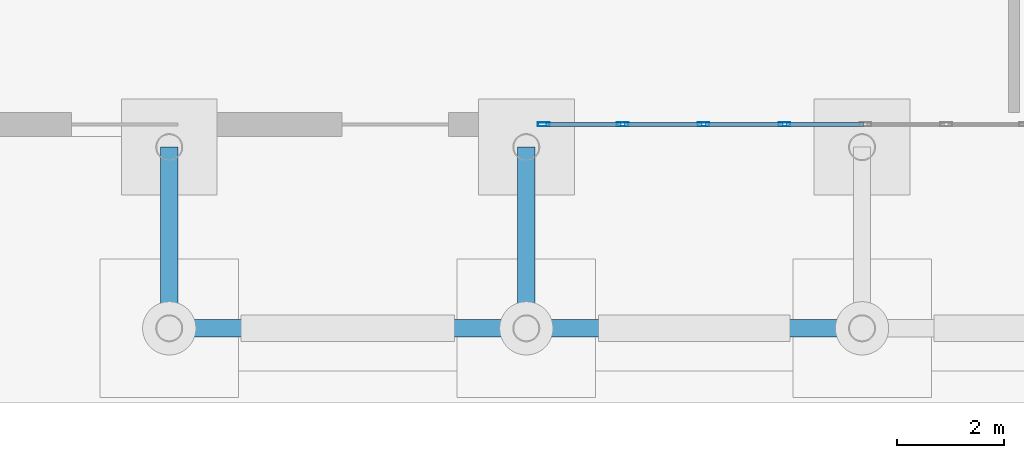
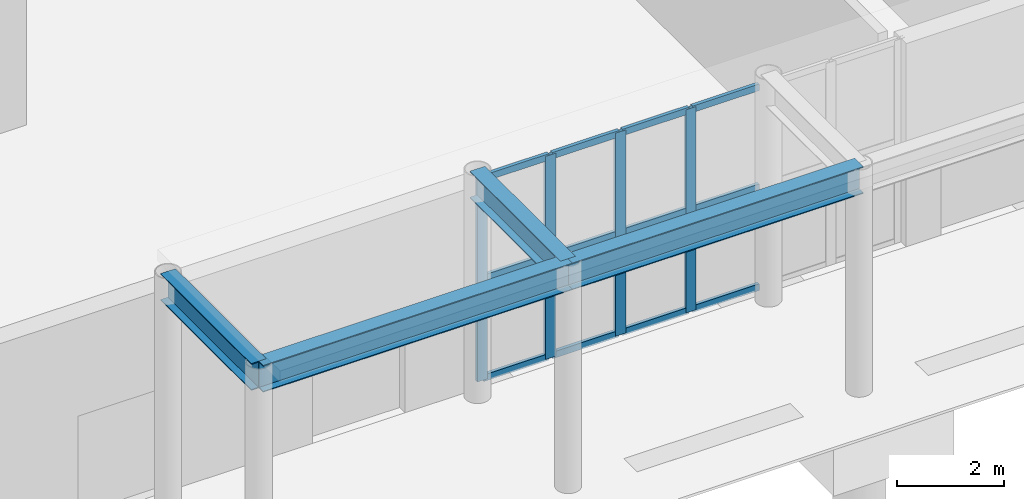
# One storey, part 4 of 35: 16 members, 4 beams, 1 element without a shape of its own.
"""IFC4 building model written with IfcOpenShell, lengths in metres."""

from ifc_helpers import new_model, si_unit, direction, frame, origin, origin_2d, place, context, subcontext, project, spatial, hollow_rectangle, i_section, extrude, material, layer, layer_set, material_profile, profile_set, type_object, element, aggregate, save


model = new_model("IFC4")

# Units and contexts
model_context = context("Model", 3, precision=1e-05, world=origin(), true_north=direction((0.0, 1.0)))
body_context = subcontext(model_context, "Body", "Model", "MODEL_VIEW")
ifc_project = project(units=[si_unit("LENGTHUNIT", "METRE"), si_unit("AREAUNIT", "SQUARE_METRE"), si_unit("VOLUMEUNIT", "CUBIC_METRE"), si_unit("PLANEANGLEUNIT", "RADIAN"), si_unit("MASSUNIT", "GRAM", prefix="KILO")], contexts=[model_context])

# Site, building, storey
site_placement = place(None, origin())
site = spatial("IfcSite", under=ifc_project, at=site_placement, CompositionType="ELEMENT")
building_placement = place(site_placement, origin())
building = spatial("IfcBuilding", under=site, at=building_placement, Name="Kilnhurst Terrace Hotel", CompositionType="ELEMENT")
storey_placement = place(building_placement, origin())
storey = spatial("IfcBuildingStorey", under=building, at=storey_placement, Name="L00", CompositionType="ELEMENT", Elevation=0.0)

# Beams
ifc_material_1 = material(Name="Steel ASTM A992 Grade 50", Category="steel")
ifc_material_profile_1 = material_profile(ifc_material_1, i_section(OverallWidth=0.3251953125, OverallDepth=0.6162109375, WebThickness=0.013916015625, FlangeThickness=0.021484375, at=origin_2d()), Name="W24X117")
ifc_profile_set_1 = profile_set([ifc_material_profile_1], Name="Steel ASTM A992 Grade 50")
beam_type = type_object("IfcBeamType", Name="BM-STL-W24X117", PredefinedType="BEAM", material=ifc_profile_set_1)
for number, where, z_axis, x_axis, name in (
    (1, (-16.199951171875, -35.60009765625, 4.89208984375), (0.0, 1.0, 0.0), (-1.0, 0.0, 0.0), "Porte Cochere Canopy Tie Beam 1"),
    (2, (-9.5, -35.60009765625, 4.89208984375), (0.0, 1.0, 0.0), (-1.0, 0.0, 0.0), "Porte Cochere Canopy Tie Beam 2"),
):
    element("IfcBeam", number, at=place(storey_placement, frame(where, z_axis=z_axis, x_axis=x_axis)), inside=storey, type_object=beam_type, Name=name, PredefinedType="BEAM", context=body_context, shape_type="SweptSolid", body=[
        extrude(i_section(OverallWidth=0.3251953125, OverallDepth=0.6162109375, WebThickness=0.013916015625, FlangeThickness=0.021484375, at=origin_2d()), origin(), (0.0, 0.0, 1.0), 3.400146484375),
    ])
beam_1_placement = place(storey_placement, frame((-16.199951171875, -35.60009765625, 4.89208984375), z_axis=(1.0, 0.0, 0.0), x_axis=(0.0, 1.0, 0.0)))
element("IfcBeam", 3, at=beam_1_placement, inside=storey, type_object=beam_type, Name="Porte Cochere Canopy Edge Beam 1", PredefinedType="BEAM", context=body_context, shape_type="SweptSolid", body=[
    extrude(i_section(OverallWidth=0.3251953125, OverallDepth=0.6162109375, WebThickness=0.013916015625, FlangeThickness=0.021484375, at=origin_2d()), origin(), (0.0, 0.0, 1.0), 6.699951171875),
])
beam_2_placement = place(storey_placement, frame((-9.5, -35.60009765625, 4.89208984375), z_axis=(1.0, 0.0, 0.0), x_axis=(0.0, 1.0, 0.0)))
element("IfcBeam", 4, at=beam_2_placement, inside=storey, type_object=beam_type, Name="Porte Cochere Canopy Edge Beam 2", PredefinedType="BEAM", context=body_context, shape_type="SweptSolid", body=[
    extrude(i_section(OverallWidth=0.3251953125, OverallDepth=0.6162109375, WebThickness=0.013916015625, FlangeThickness=0.021484375, at=origin_2d()), origin(), (0.0, 0.0, 1.0), 6.300048828125),
])

# Curtain wall, members
ifc_material_2 = material(Name="Anodized Aluminium Alloy 6063-T6 and Low-E Glass", Category="aluminium")
ifc_layer = layer(ifc_material_2, 0.219970703125, Name="Anodized Aluminium Alloy 6063-T6 and Low-E Glass")
ifc_layer_set = layer_set([ifc_layer], Name="Anodized Aluminium Alloy 6063-T6 and Low-E Glass")
curtain_wall_type = type_object("IfcCurtainWallType", Name="CW-POD-LOBBY", PredefinedType="NOTDEFINED", material=ifc_layer_set)
curtain_wall_placement = place(storey_placement, origin())
curtain_wall = element("IfcCurtainWall", 5, at=curtain_wall_placement, inside=storey, type_object=curtain_wall_type, Name="L00 Curtain Wall CW-L00-F1-1", PredefinedType="NOTDEFINED")
ifc_material_3 = material(Name="Extruded Aluminium Alloy 6063-T6", Category="aluminium")
ifc_material_profile_2 = material_profile(ifc_material_3, hollow_rectangle(XDim=0.074951171875, YDim=0.219970703125, WallThickness=0.00390625, at=origin_2d()), Name="CWM75X220")
ifc_profile_set_2 = profile_set([ifc_material_profile_2], Name="Extruded Aluminium Alloy 6063-T6")
member_type_1 = type_object("IfcMemberType", Name="MEM-CWM75X220", PredefinedType="MULLION", material=ifc_profile_set_2)
member_1_placement = place(storey_placement, frame((-9.1708984375, -31.77490234375, 0.0), z_axis=(0.0, 0.0, 1.0), x_axis=(0.0, 1.0, 0.0)))
member_1 = element("IfcMember", 6, at=member_1_placement, type_object=member_type_1, Name="CWL-1 mullion 1", PredefinedType="MULLION", context=body_context, shape_type="SweptSolid", body=[
    extrude(hollow_rectangle(XDim=0.074951171875, YDim=0.219970703125, WallThickness=0.00390625, at=origin_2d()), origin(), (0.0, 0.0, 1.0), 4.64990234375),
])
member_2_placement = place(storey_placement, frame((-7.6904296875, -31.77490234375, 0.0), z_axis=(0.0, 0.0, 1.0), x_axis=(0.0, 1.0, 0.0)))
member_2 = element("IfcMember", 7, at=member_2_placement, type_object=member_type_1, Name="CWL-1 mullion 2", PredefinedType="MULLION", context=body_context, shape_type="SweptSolid", body=[
    extrude(hollow_rectangle(XDim=0.074951171875, YDim=0.219970703125, WallThickness=0.00390625, at=origin_2d()), origin(), (0.0, 0.0, 1.0), 4.64990234375),
])
member_3_placement = place(storey_placement, frame((-6.172607421875, -31.77490234375, 0.0), z_axis=(0.0, 0.0, 1.0), x_axis=(0.0, 1.0, 0.0)))
member_3 = element("IfcMember", 8, at=member_3_placement, type_object=member_type_1, Name="CWL-1 mullion 3", PredefinedType="MULLION", context=body_context, shape_type="SweptSolid", body=[
    extrude(hollow_rectangle(XDim=0.074951171875, YDim=0.219970703125, WallThickness=0.00390625, at=origin_2d()), origin(), (0.0, 0.0, 1.0), 4.64990234375),
])
member_4_placement = place(storey_placement, frame((-4.654541015625, -31.77490234375, 0.0), z_axis=(0.0, 0.0, 1.0), x_axis=(0.0, 1.0, 0.0)))
member_4 = element("IfcMember", 9, at=member_4_placement, type_object=member_type_1, Name="CWL-1 mullion 4", PredefinedType="MULLION", context=body_context, shape_type="SweptSolid", body=[
    extrude(hollow_rectangle(XDim=0.074951171875, YDim=0.219970703125, WallThickness=0.00390625, at=origin_2d()), origin(), (0.0, 0.0, 1.0), 4.64990234375),
])
ifc_material_profile_3 = material_profile(ifc_material_3, hollow_rectangle(XDim=0.074951171875, YDim=0.14990234375, WallThickness=0.00390625, at=origin_2d()), Name="CWT75X150")
ifc_profile_set_3 = profile_set([ifc_material_profile_3], Name="Extruded Aluminium Alloy 6063-T6")
member_type_2 = type_object("IfcMemberType", Name="MEM-CWT75X150", PredefinedType="USERDEFINED", material=ifc_profile_set_3)
member_5_placement = place(storey_placement, frame((-9.133544921875, -31.77490234375, 0.03759765625), z_axis=(1.0, 0.0, 0.0), x_axis=(0.0, 1.0, 0.0)))
member_5 = element("IfcMember", 10, at=member_5_placement, type_object=member_type_2, Name="CWL-1 transom 1.1", ObjectType="TRANSOM", PredefinedType="USERDEFINED", context=body_context, shape_type="SweptSolid", body=[
    extrude(hollow_rectangle(XDim=0.074951171875, YDim=0.14990234375, WallThickness=0.00390625, at=origin_2d()), origin(), (0.0, 0.0, 1.0), 1.405517578125),
])
member_6_placement = place(storey_placement, frame((-9.133544921875, -31.77490234375, 2.324951171875), z_axis=(1.0, 0.0, 0.0), x_axis=(0.0, 1.0, 0.0)))
member_6 = element("IfcMember", 11, at=member_6_placement, type_object=member_type_2, Name="CWL-1 transom 1.2", ObjectType="TRANSOM", PredefinedType="USERDEFINED", context=body_context, shape_type="SweptSolid", body=[
    extrude(hollow_rectangle(XDim=0.074951171875, YDim=0.14990234375, WallThickness=0.00390625, at=origin_2d()), origin(), (0.0, 0.0, 1.0), 1.405517578125),
])
member_7_placement = place(storey_placement, frame((-9.133544921875, -31.77490234375, 4.612548828125), z_axis=(1.0, 0.0, 0.0), x_axis=(0.0, 1.0, 0.0)))
member_7 = element("IfcMember", 12, at=member_7_placement, type_object=member_type_2, Name="CWL-1 transom 1.3", ObjectType="TRANSOM", PredefinedType="USERDEFINED", context=body_context, shape_type="SweptSolid", body=[
    extrude(hollow_rectangle(XDim=0.074951171875, YDim=0.14990234375, WallThickness=0.00390625, at=origin_2d()), origin(), (0.0, 0.0, 1.0), 1.405517578125),
])
member_8_placement = place(storey_placement, frame((-7.653076171875, -31.77490234375, 0.03759765625), z_axis=(1.0, 0.0, 0.0), x_axis=(0.0, 1.0, 0.0)))
member_8 = element("IfcMember", 13, at=member_8_placement, type_object=member_type_2, Name="CWL-1 transom 2.1", ObjectType="TRANSOM", PredefinedType="USERDEFINED", context=body_context, shape_type="SweptSolid", body=[
    extrude(hollow_rectangle(XDim=0.074951171875, YDim=0.14990234375, WallThickness=0.00390625, at=origin_2d()), origin(), (0.0, 0.0, 1.0), 1.443115234375),
])
member_9_placement = place(storey_placement, frame((-7.653076171875, -31.77490234375, 2.324951171875), z_axis=(1.0, 0.0, 0.0), x_axis=(0.0, 1.0, 0.0)))
member_9 = element("IfcMember", 14, at=member_9_placement, type_object=member_type_2, Name="CWL-1 transom 2.2", ObjectType="TRANSOM", PredefinedType="USERDEFINED", context=body_context, shape_type="SweptSolid", body=[
    extrude(hollow_rectangle(XDim=0.074951171875, YDim=0.14990234375, WallThickness=0.00390625, at=origin_2d()), origin(), (0.0, 0.0, 1.0), 1.443115234375),
])
member_10_placement = place(storey_placement, frame((-7.653076171875, -31.77490234375, 4.612548828125), z_axis=(1.0, 0.0, 0.0), x_axis=(0.0, 1.0, 0.0)))
member_10 = element("IfcMember", 15, at=member_10_placement, type_object=member_type_2, Name="CWL-1 transom 2.3", ObjectType="TRANSOM", PredefinedType="USERDEFINED", context=body_context, shape_type="SweptSolid", body=[
    extrude(hollow_rectangle(XDim=0.074951171875, YDim=0.14990234375, WallThickness=0.00390625, at=origin_2d()), origin(), (0.0, 0.0, 1.0), 1.443115234375),
])
member_11_placement = place(storey_placement, frame((-6.135009765625, -31.77490234375, 0.03759765625), z_axis=(1.0, 0.0, 0.0), x_axis=(0.0, 1.0, 0.0)))
member_11 = element("IfcMember", 16, at=member_11_placement, type_object=member_type_2, Name="CWL-1 transom 3.1", ObjectType="TRANSOM", PredefinedType="USERDEFINED", context=body_context, shape_type="SweptSolid", body=[
    extrude(hollow_rectangle(XDim=0.074951171875, YDim=0.14990234375, WallThickness=0.00390625, at=origin_2d()), origin(), (0.0, 0.0, 1.0), 1.443115234375),
])
member_12_placement = place(storey_placement, frame((-6.135009765625, -31.77490234375, 2.324951171875), z_axis=(1.0, 0.0, 0.0), x_axis=(0.0, 1.0, 0.0)))
member_12 = element("IfcMember", 17, at=member_12_placement, type_object=member_type_2, Name="CWL-1 transom 3.2", ObjectType="TRANSOM", PredefinedType="USERDEFINED", context=body_context, shape_type="SweptSolid", body=[
    extrude(hollow_rectangle(XDim=0.074951171875, YDim=0.14990234375, WallThickness=0.00390625, at=origin_2d()), origin(), (0.0, 0.0, 1.0), 1.443115234375),
])
member_13_placement = place(storey_placement, frame((-6.135009765625, -31.77490234375, 4.612548828125), z_axis=(1.0, 0.0, 0.0), x_axis=(0.0, 1.0, 0.0)))
member_13 = element("IfcMember", 18, at=member_13_placement, type_object=member_type_2, Name="CWL-1 transom 3.3", ObjectType="TRANSOM", PredefinedType="USERDEFINED", context=body_context, shape_type="SweptSolid", body=[
    extrude(hollow_rectangle(XDim=0.074951171875, YDim=0.14990234375, WallThickness=0.00390625, at=origin_2d()), origin(), (0.0, 0.0, 1.0), 1.443115234375),
])
member_14_placement = place(storey_placement, frame((-4.616943359375, -31.77490234375, 0.03759765625), z_axis=(1.0, 0.0, 0.0), x_axis=(0.0, 1.0, 0.0)))
member_14 = element("IfcMember", 19, at=member_14_placement, type_object=member_type_2, Name="CWL-1 transom 4.1", ObjectType="TRANSOM", PredefinedType="USERDEFINED", context=body_context, shape_type="SweptSolid", body=[
    extrude(hollow_rectangle(XDim=0.074951171875, YDim=0.14990234375, WallThickness=0.00390625, at=origin_2d()), origin(), (0.0, 0.0, 1.0), 1.44287109375),
])
member_15_placement = place(storey_placement, frame((-4.616943359375, -31.77490234375, 2.324951171875), z_axis=(1.0, 0.0, 0.0), x_axis=(0.0, 1.0, 0.0)))
member_15 = element("IfcMember", 20, at=member_15_placement, type_object=member_type_2, Name="CWL-1 transom 4.2", ObjectType="TRANSOM", PredefinedType="USERDEFINED", context=body_context, shape_type="SweptSolid", body=[
    extrude(hollow_rectangle(XDim=0.074951171875, YDim=0.14990234375, WallThickness=0.00390625, at=origin_2d()), origin(), (0.0, 0.0, 1.0), 1.44287109375),
])
member_16_placement = place(storey_placement, frame((-4.616943359375, -31.77490234375, 4.612548828125), z_axis=(1.0, 0.0, 0.0), x_axis=(0.0, 1.0, 0.0)))
member_16 = element("IfcMember", 21, at=member_16_placement, type_object=member_type_2, Name="CWL-1 transom 4.3", ObjectType="TRANSOM", PredefinedType="USERDEFINED", context=body_context, shape_type="SweptSolid", body=[
    extrude(hollow_rectangle(XDim=0.074951171875, YDim=0.14990234375, WallThickness=0.00390625, at=origin_2d()), origin(), (0.0, 0.0, 1.0), 1.44287109375),
])
aggregate(curtain_wall, [member_1, member_2, member_3, member_4, member_5, member_6, member_7, member_8, member_9, member_10, member_11, member_12, member_13, member_14, member_15, member_16])

save(model, "model.ifc")
